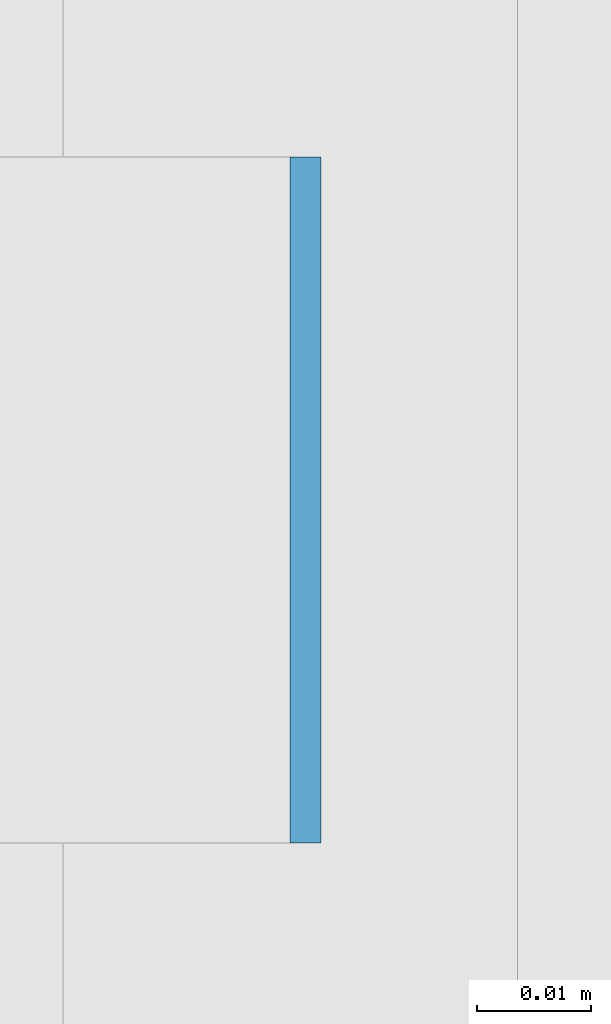
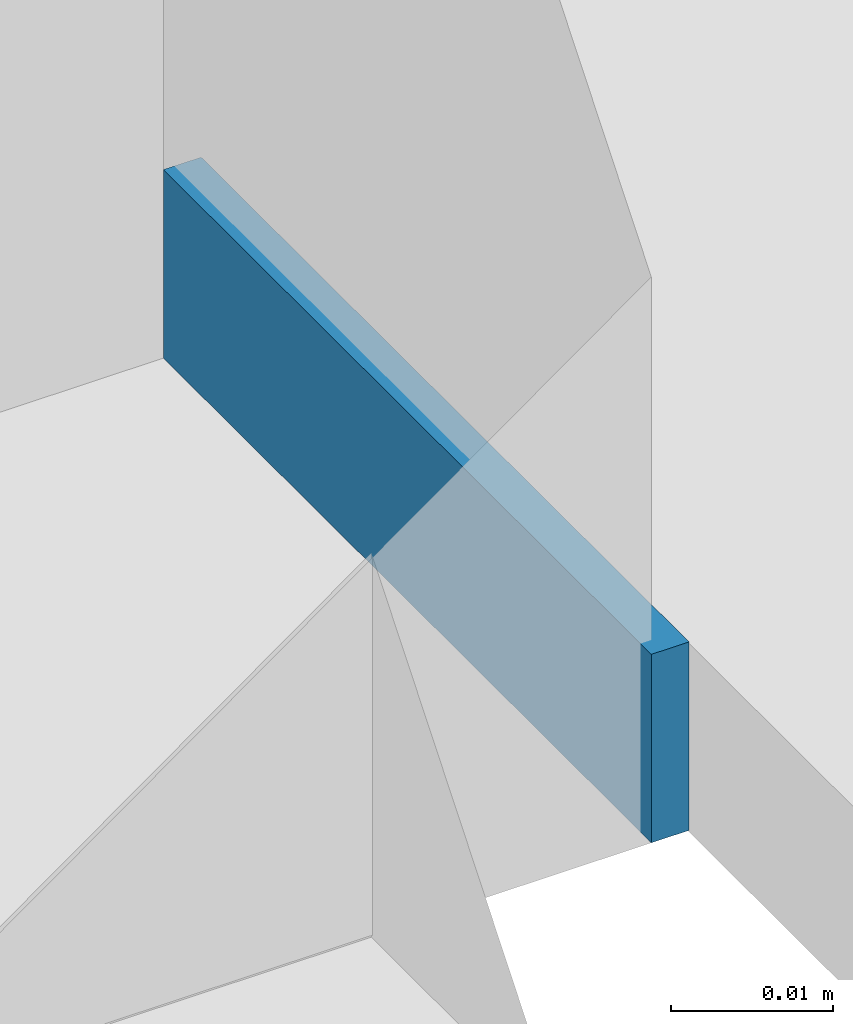
# One storey, part 388 of 646: 1 discrete accessory.
"""IFC4 building model written with IfcOpenShell, lengths in metres."""

from ifc_helpers import new_model, si_unit, direction, frame, origin, origin_2d, place, context, subcontext, project, spatial, rectangle, extrude, material, type_object, element, save


model = new_model("IFC4")

# Units and contexts
model_context = context("Model", 3, precision=1e-05, world=origin(), true_north=direction((0.0, 1.0)))
body_context = subcontext(model_context, "Body", "Model", "MODEL_VIEW")
ifc_project = project(units=[si_unit("LENGTHUNIT", "METRE"), si_unit("AREAUNIT", "SQUARE_METRE"), si_unit("VOLUMEUNIT", "CUBIC_METRE"), si_unit("PLANEANGLEUNIT", "RADIAN"), si_unit("MASSUNIT", "GRAM", prefix="KILO")], contexts=[model_context])

# Site, building, storey
site_placement = place(None, origin())
site = spatial("IfcSite", under=ifc_project, at=site_placement, CompositionType="ELEMENT")
building_placement = place(site_placement, origin())
building = spatial("IfcBuilding", under=site, at=building_placement, Name="Silverbay Arena", CompositionType="ELEMENT")
storey_placement = place(building_placement, frame((0.0, 0.0, 33.5)))
storey = spatial("IfcBuildingStorey", under=building, at=storey_placement, Name="L05", CompositionType="ELEMENT", Elevation=33.5)

# Discrete accessory
ifc_material = material(Name="Steel S355", Category="steel")
discrete_accessory_type = type_object("IfcDiscreteAccessoryType", Name="Steel bracket plate", PredefinedType="BRACKET", material=ifc_material)
discrete_accessory_placement = place(storey_placement, frame((53.871337890625, 111.857177734375, 4.0), z_axis=(0.0, 0.0, 1.0), x_axis=(1.0, 0.0, 0.0)))
element("IfcDiscreteAccessory", 1, at=discrete_accessory_placement, inside=storey, type_object=discrete_accessory_type, Name="Curtain wall packing plate", PredefinedType="BRACKET", context=body_context, shape_type="SweptSolid", body=[
    extrude(rectangle(XDim=0.002685546875, YDim=0.06005859375, at=origin_2d()), origin(), (0.0, 0.0, 1.0), 0.01416015625),
])

save(model, "model.ifc")
